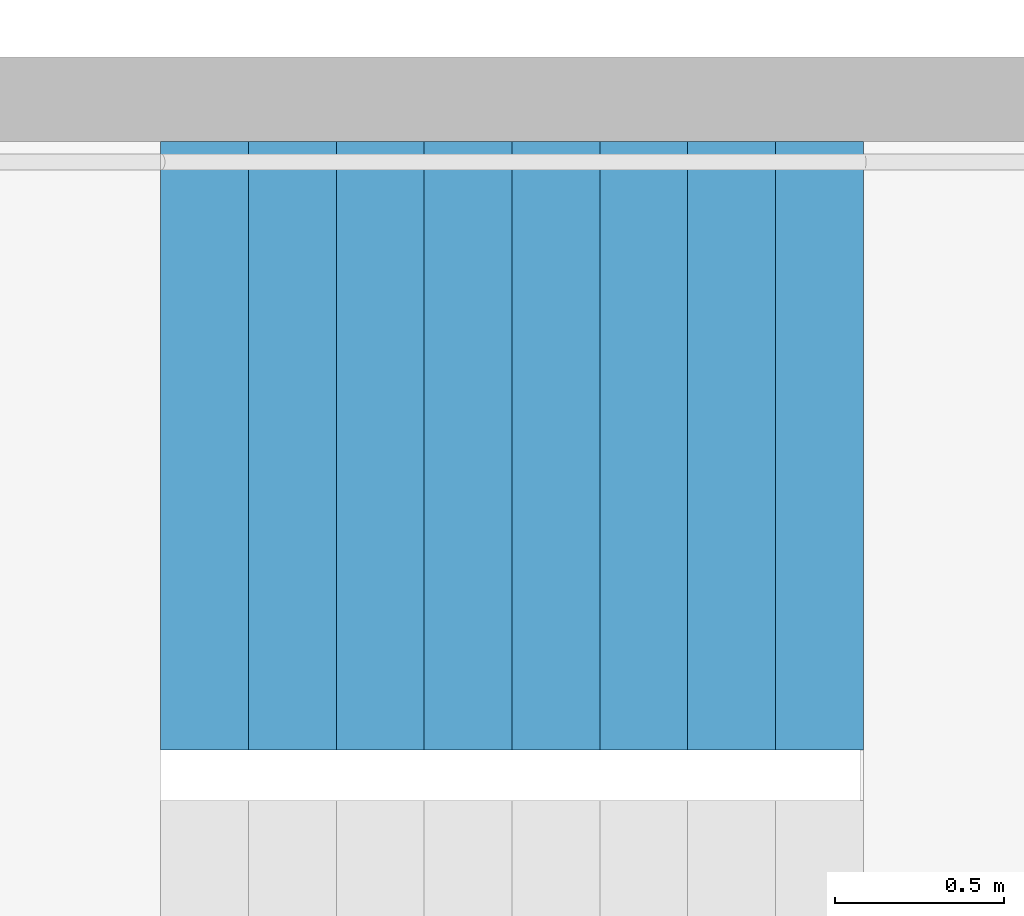
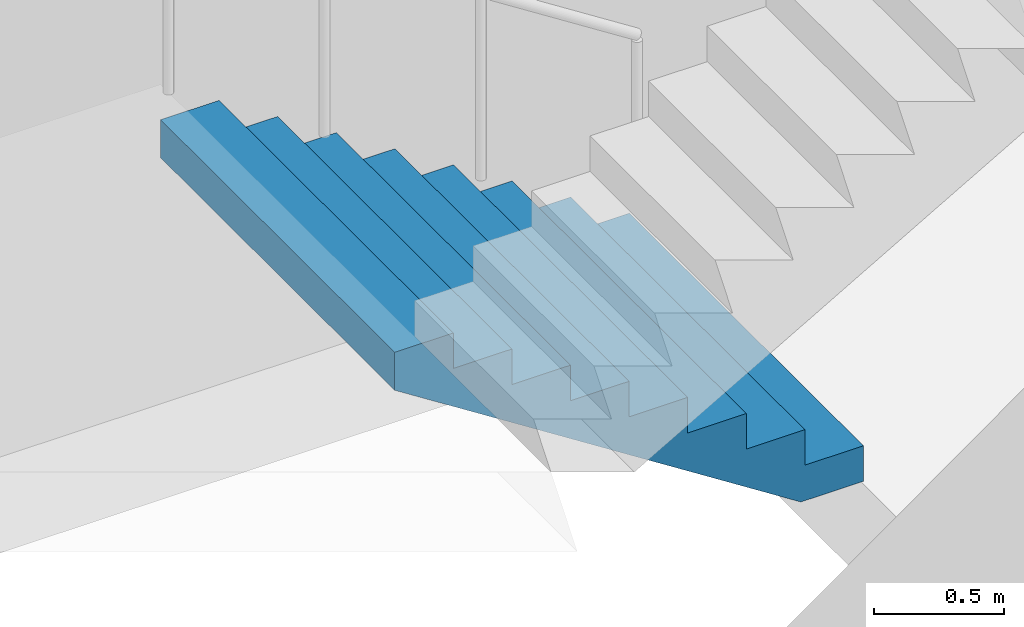
# One storey, part 20 of 35: 1 stair flight, 1 element without a shape of its own.
"""IFC4 building model written with IfcOpenShell, lengths in metres."""

from ifc_helpers import new_model, si_unit, direction, frame, origin, place, context, subcontext, project, spatial, triangles, material, type_object, element, aggregate, save


model = new_model("IFC4")

# Units and contexts
model_context = context("Model", 3, precision=1e-05, world=origin(), true_north=direction((0.0, 1.0)))
body_context = subcontext(model_context, "Body", "Model", "MODEL_VIEW")
ifc_project = project(units=[si_unit("LENGTHUNIT", "METRE"), si_unit("AREAUNIT", "SQUARE_METRE"), si_unit("VOLUMEUNIT", "CUBIC_METRE"), si_unit("PLANEANGLEUNIT", "RADIAN"), si_unit("MASSUNIT", "GRAM", prefix="KILO")], contexts=[model_context])

# Site, building, storey
site_placement = place(None, origin())
site = spatial("IfcSite", under=ifc_project, at=site_placement, CompositionType="ELEMENT")
building_placement = place(site_placement, origin())
building = spatial("IfcBuilding", under=site, at=building_placement, Name="Hakoniwa Tower and Hamabe Station Hall", CompositionType="ELEMENT")
storey_placement = place(building_placement, frame((0.0, 0.0, 264.60009765625)))
storey = spatial("IfcBuildingStorey", under=building, at=storey_placement, Name="L75", CompositionType="ELEMENT", Elevation=264.60009765625)

# Stair, stair flight
ifc_material_1 = material(Name="Concrete C40", Category="concrete")
stair_type = type_object("IfcStairType", Name="ESCAPE STAIR 1800", PredefinedType="HALF_TURN_STAIR", material=ifc_material_1)
stair_placement = place(storey_placement, origin())
stair = element("IfcStair", 1, at=stair_placement, inside=storey, type_object=stair_type, Name="Escape stair ST-2 L75", PredefinedType="HALF_TURN_STAIR")
ifc_material_2 = material(Name="Concrete C40", Category="concrete")
stair_flight_type = type_object("IfcStairFlightType", Name="STAIR FLIGHT 1800", PredefinedType="STRAIGHT", material=ifc_material_2)
stair_flight_placement = place(storey_placement, frame((-23.39990234375, -4.64990234375, 0.0), z_axis=(0.0, 0.0, 1.0), x_axis=(-1.0, 0.0, 0.0)))
stair_flight = element("IfcStairFlight", 2, at=stair_flight_placement, type_object=stair_flight_type, Name="ST-2 flight 1", NumberOfRisers=9, NumberOfTreads=8, PredefinedType="STRAIGHT", RiserHeight=0.166666667, TreadLength=0.26, context=body_context, shape_type="Tessellation", body=[
    triangles([(0.0, 0.89990234375, 0.0), (0.260009765625, 0.89990234375, 0.0), (0.27783203125, 0.89990234375, 0.0), (0.52001953125, 0.89990234375, 0.1552734375), (0.780029296875, 0.89990234375, 0.322021484375), (1.0400390625, 0.89990234375, 0.488525390625), (1.300048828125, 0.89990234375, 0.6552734375), (1.56005859375, 0.89990234375, 0.822021484375), (1.820068359375, 0.89990234375, 0.988525390625), (2.080078125, 0.89990234375, 1.1552734375), (2.080078125, 0.89990234375, 1.333251953125), (1.820068359375, 0.89990234375, 1.333251953125), (1.820068359375, 0.89990234375, 1.166748046875), (1.56005859375, 0.89990234375, 1.166748046875), (1.56005859375, 0.89990234375, 1.0), (1.300048828125, 0.89990234375, 1.0), (1.300048828125, 0.89990234375, 0.833251953125), (1.0400390625, 0.89990234375, 0.833251953125), (1.0400390625, 0.89990234375, 0.666748046875), (0.780029296875, 0.89990234375, 0.666748046875), (0.780029296875, 0.89990234375, 0.5), (0.52001953125, 0.89990234375, 0.5), (0.52001953125, 0.89990234375, 0.333251953125), (0.27783203125, 0.89990234375, 0.333251953125), (0.260009765625, 0.89990234375, 0.333251953125), (0.260009765625, 0.89990234375, 0.166748046875), (0.0, 0.89990234375, 0.166748046875), (0.0, 0.06005859375, 0.0), (0.260009765625, 0.06005859375, 0.0), (0.27783203125, 0.06005859375, 0.0), (0.52001953125, 0.06005859375, 0.1552734375), (0.780029296875, 0.06005859375, 0.322021484375), (1.0400390625, 0.06005859375, 0.488525390625), (1.300048828125, 0.06005859375, 0.6552734375), (1.56005859375, 0.06005859375, 0.822021484375), (1.820068359375, 0.06005859375, 0.988525390625), (2.080078125, 0.06005859375, 1.1552734375), (2.080078125, 0.06005859375, 1.333251953125), (1.820068359375, 0.06005859375, 1.333251953125), (1.820068359375, 0.06005859375, 1.166748046875), (1.56005859375, 0.06005859375, 1.166748046875), (1.56005859375, 0.06005859375, 1.0), (1.300048828125, 0.06005859375, 1.0), (1.300048828125, 0.06005859375, 0.833251953125), (1.0400390625, 0.06005859375, 0.833251953125), (1.0400390625, 0.06005859375, 0.666748046875), (0.780029296875, 0.06005859375, 0.666748046875), (0.780029296875, 0.06005859375, 0.5), (0.52001953125, 0.06005859375, 0.5), (0.52001953125, 0.06005859375, 0.333251953125), (0.27783203125, 0.06005859375, 0.333251953125), (0.260009765625, 0.06005859375, 0.333251953125), (0.260009765625, 0.06005859375, 0.166748046875), (0.0, 0.06005859375, 0.166748046875), (0.0, 0.04296875, 0.0), (0.260009765625, 0.04296875, 0.0), (0.27783203125, 0.04296875, 0.0), (0.52001953125, 0.04296875, 0.1552734375), (0.780029296875, 0.04296875, 0.322021484375), (1.0400390625, 0.04296875, 0.488525390625), (1.300048828125, 0.04296875, 0.6552734375), (1.56005859375, 0.04296875, 0.822021484375), (1.820068359375, 0.04296875, 0.988525390625), (2.080078125, 0.04296875, 1.1552734375), (2.080078125, 0.04296875, 1.333251953125), (1.820068359375, 0.04296875, 1.333251953125), (1.820068359375, 0.04296875, 1.166748046875), (1.56005859375, 0.04296875, 1.166748046875), (1.56005859375, 0.04296875, 1.0), (1.300048828125, 0.04296875, 1.0), (1.300048828125, 0.04296875, 0.833251953125), (1.0400390625, 0.04296875, 0.833251953125), (1.0400390625, 0.04296875, 0.666748046875), (0.780029296875, 0.04296875, 0.666748046875), (0.780029296875, 0.04296875, 0.5), (0.52001953125, 0.04296875, 0.5), (0.52001953125, 0.04296875, 0.333251953125), (0.27783203125, 0.04296875, 0.333251953125), (0.260009765625, 0.04296875, 0.333251953125), (0.260009765625, 0.04296875, 0.166748046875), (0.0, 0.04296875, 0.166748046875), (0.0, 0.025634765625, 0.0), (0.260009765625, 0.025634765625, 0.0), (0.27783203125, 0.025634765625, 0.0), (0.52001953125, 0.025634765625, 0.1552734375), (0.780029296875, 0.025634765625, 0.322021484375), (1.0400390625, 0.025634765625, 0.488525390625), (1.300048828125, 0.025634765625, 0.6552734375), (1.56005859375, 0.025634765625, 0.822021484375), (1.820068359375, 0.025634765625, 0.988525390625), (2.080078125, 0.025634765625, 1.1552734375), (2.080078125, 0.025634765625, 1.333251953125), (1.820068359375, 0.025634765625, 1.333251953125), (1.820068359375, 0.025634765625, 1.166748046875), (1.56005859375, 0.025634765625, 1.166748046875), (1.56005859375, 0.025634765625, 1.0), (1.300048828125, 0.025634765625, 1.0), (1.300048828125, 0.025634765625, 0.833251953125), (1.0400390625, 0.025634765625, 0.833251953125), (1.0400390625, 0.025634765625, 0.666748046875), (0.780029296875, 0.025634765625, 0.666748046875), (0.780029296875, 0.025634765625, 0.5), (0.52001953125, 0.025634765625, 0.5), (0.52001953125, 0.025634765625, 0.333251953125), (0.27783203125, 0.025634765625, 0.333251953125), (0.260009765625, 0.025634765625, 0.333251953125), (0.260009765625, 0.025634765625, 0.166748046875), (0.0, 0.025634765625, 0.166748046875), (0.0, 0.008544921875, 0.0), (0.260009765625, 0.008544921875, 0.0), (0.27783203125, 0.008544921875, 0.0), (0.52001953125, 0.008544921875, 0.1552734375), (0.780029296875, 0.008544921875, 0.322021484375), (1.0400390625, 0.008544921875, 0.488525390625), (1.300048828125, 0.008544921875, 0.6552734375), (1.56005859375, 0.008544921875, 0.822021484375), (1.820068359375, 0.008544921875, 0.988525390625), (2.080078125, 0.008544921875, 1.1552734375), (2.080078125, 0.008544921875, 1.333251953125), (1.820068359375, 0.008544921875, 1.333251953125), (1.820068359375, 0.008544921875, 1.166748046875), (1.56005859375, 0.008544921875, 1.166748046875), (1.56005859375, 0.008544921875, 1.0), (1.300048828125, 0.008544921875, 1.0), (1.300048828125, 0.008544921875, 0.833251953125), (1.0400390625, 0.008544921875, 0.833251953125), (1.0400390625, 0.008544921875, 0.666748046875), (0.780029296875, 0.008544921875, 0.666748046875), (0.780029296875, 0.008544921875, 0.5), (0.52001953125, 0.008544921875, 0.5), (0.52001953125, 0.008544921875, 0.333251953125), (0.27783203125, 0.008544921875, 0.333251953125), (0.260009765625, 0.008544921875, 0.333251953125), (0.260009765625, 0.008544921875, 0.166748046875), (0.0, 0.008544921875, 0.166748046875), (0.0, -0.008544921875, 0.0), (0.260009765625, -0.008544921875, 0.0), (0.27783203125, -0.008544921875, 0.0), (0.52001953125, -0.008544921875, 0.1552734375), (0.780029296875, -0.008544921875, 0.322021484375), (1.0400390625, -0.008544921875, 0.488525390625), (1.300048828125, -0.008544921875, 0.6552734375), (1.56005859375, -0.008544921875, 0.822021484375), (1.820068359375, -0.008544921875, 0.988525390625), (2.080078125, -0.008544921875, 1.1552734375), (2.080078125, -0.008544921875, 1.333251953125), (1.820068359375, -0.008544921875, 1.333251953125), (1.820068359375, -0.008544921875, 1.166748046875), (1.56005859375, -0.008544921875, 1.166748046875), (1.56005859375, -0.008544921875, 1.0), (1.300048828125, -0.008544921875, 1.0), (1.300048828125, -0.008544921875, 0.833251953125), (1.0400390625, -0.008544921875, 0.833251953125), (1.0400390625, -0.008544921875, 0.666748046875), (0.780029296875, -0.008544921875, 0.666748046875), (0.780029296875, -0.008544921875, 0.5), (0.52001953125, -0.008544921875, 0.5), (0.52001953125, -0.008544921875, 0.333251953125), (0.27783203125, -0.008544921875, 0.333251953125), (0.260009765625, -0.008544921875, 0.333251953125), (0.260009765625, -0.008544921875, 0.166748046875), (0.0, -0.008544921875, 0.166748046875), (0.0, -0.025634765625, 0.0), (0.260009765625, -0.025634765625, 0.0), (0.27783203125, -0.025634765625, 0.0), (0.52001953125, -0.025634765625, 0.1552734375), (0.780029296875, -0.025634765625, 0.322021484375), (1.0400390625, -0.025634765625, 0.488525390625), (1.300048828125, -0.025634765625, 0.6552734375), (1.56005859375, -0.025634765625, 0.822021484375), (1.820068359375, -0.025634765625, 0.988525390625), (2.080078125, -0.025634765625, 1.1552734375), (2.080078125, -0.025634765625, 1.333251953125), (1.820068359375, -0.025634765625, 1.333251953125), (1.820068359375, -0.025634765625, 1.166748046875), (1.56005859375, -0.025634765625, 1.166748046875), (1.56005859375, -0.025634765625, 1.0), (1.300048828125, -0.025634765625, 1.0), (1.300048828125, -0.025634765625, 0.833251953125), (1.0400390625, -0.025634765625, 0.833251953125), (1.0400390625, -0.025634765625, 0.666748046875), (0.780029296875, -0.025634765625, 0.666748046875), (0.780029296875, -0.025634765625, 0.5), (0.52001953125, -0.025634765625, 0.5), (0.52001953125, -0.025634765625, 0.333251953125), (0.27783203125, -0.025634765625, 0.333251953125), (0.260009765625, -0.025634765625, 0.333251953125), (0.260009765625, -0.025634765625, 0.166748046875), (0.0, -0.025634765625, 0.166748046875), (0.0, -0.04296875, 0.0), (0.260009765625, -0.04296875, 0.0), (0.27783203125, -0.04296875, 0.0), (0.52001953125, -0.04296875, 0.1552734375), (0.780029296875, -0.04296875, 0.322021484375), (1.0400390625, -0.04296875, 0.488525390625), (1.300048828125, -0.04296875, 0.6552734375), (1.56005859375, -0.04296875, 0.822021484375), (1.820068359375, -0.04296875, 0.988525390625), (2.080078125, -0.04296875, 1.1552734375), (2.080078125, -0.04296875, 1.333251953125), (1.820068359375, -0.04296875, 1.333251953125), (1.820068359375, -0.04296875, 1.166748046875), (1.56005859375, -0.04296875, 1.166748046875), (1.56005859375, -0.04296875, 1.0), (1.300048828125, -0.04296875, 1.0), (1.300048828125, -0.04296875, 0.833251953125), (1.0400390625, -0.04296875, 0.833251953125), (1.0400390625, -0.04296875, 0.666748046875), (0.780029296875, -0.04296875, 0.666748046875), (0.780029296875, -0.04296875, 0.5), (0.52001953125, -0.04296875, 0.5), (0.52001953125, -0.04296875, 0.333251953125), (0.27783203125, -0.04296875, 0.333251953125), (0.260009765625, -0.04296875, 0.333251953125), (0.260009765625, -0.04296875, 0.166748046875), (0.0, -0.04296875, 0.166748046875), (0.0, -0.06005859375, 0.0), (0.260009765625, -0.06005859375, 0.0), (0.27783203125, -0.06005859375, 0.0), (0.52001953125, -0.06005859375, 0.1552734375), (0.780029296875, -0.06005859375, 0.322021484375), (1.0400390625, -0.06005859375, 0.488525390625), (1.300048828125, -0.06005859375, 0.6552734375), (1.56005859375, -0.06005859375, 0.822021484375), (1.820068359375, -0.06005859375, 0.988525390625), (2.080078125, -0.06005859375, 1.1552734375), (2.080078125, -0.06005859375, 1.333251953125), (1.820068359375, -0.06005859375, 1.333251953125), (1.820068359375, -0.06005859375, 1.166748046875), (1.56005859375, -0.06005859375, 1.166748046875), (1.56005859375, -0.06005859375, 1.0), (1.300048828125, -0.06005859375, 1.0), (1.300048828125, -0.06005859375, 0.833251953125), (1.0400390625, -0.06005859375, 0.833251953125), (1.0400390625, -0.06005859375, 0.666748046875), (0.780029296875, -0.06005859375, 0.666748046875), (0.780029296875, -0.06005859375, 0.5), (0.52001953125, -0.06005859375, 0.5), (0.52001953125, -0.06005859375, 0.333251953125), (0.27783203125, -0.06005859375, 0.333251953125), (0.260009765625, -0.06005859375, 0.333251953125), (0.260009765625, -0.06005859375, 0.166748046875), (0.0, -0.06005859375, 0.166748046875), (0.0, -0.89990234375, 0.0), (0.260009765625, -0.89990234375, 0.0), (0.27783203125, -0.89990234375, 0.0), (0.52001953125, -0.89990234375, 0.1552734375), (0.780029296875, -0.89990234375, 0.322021484375), (1.0400390625, -0.89990234375, 0.488525390625), (1.300048828125, -0.89990234375, 0.6552734375), (1.56005859375, -0.89990234375, 0.822021484375), (1.820068359375, -0.89990234375, 0.988525390625), (2.080078125, -0.89990234375, 1.1552734375), (2.080078125, -0.89990234375, 1.333251953125), (1.820068359375, -0.89990234375, 1.333251953125), (1.820068359375, -0.89990234375, 1.166748046875), (1.56005859375, -0.89990234375, 1.166748046875), (1.56005859375, -0.89990234375, 1.0), (1.300048828125, -0.89990234375, 1.0), (1.300048828125, -0.89990234375, 0.833251953125), (1.0400390625, -0.89990234375, 0.833251953125), (1.0400390625, -0.89990234375, 0.666748046875), (0.780029296875, -0.89990234375, 0.666748046875), (0.780029296875, -0.89990234375, 0.5), (0.52001953125, -0.89990234375, 0.5), (0.52001953125, -0.89990234375, 0.333251953125), (0.27783203125, -0.89990234375, 0.333251953125), (0.260009765625, -0.89990234375, 0.333251953125), (0.260009765625, -0.89990234375, 0.166748046875), (0.0, -0.89990234375, 0.166748046875)], [[2, 27, 26], [245, 269, 270], [2, 1, 27], [245, 270, 244], [3, 25, 24], [246, 267, 268], [3, 26, 25], [246, 268, 269], [3, 2, 26], [246, 269, 245], [4, 24, 23], [247, 266, 267], [4, 3, 24], [247, 267, 246], [5, 22, 21], [248, 264, 265], [5, 23, 22], [248, 265, 266], [5, 4, 23], [248, 266, 247], [6, 20, 19], [249, 262, 263], [6, 21, 20], [249, 263, 264], [6, 5, 21], [249, 264, 248], [7, 18, 17], [250, 260, 261], [7, 19, 18], [250, 261, 262], [7, 6, 19], [250, 262, 249], [8, 16, 15], [251, 258, 259], [8, 17, 16], [251, 259, 260], [8, 7, 17], [251, 260, 250], [9, 14, 13], [252, 256, 257], [9, 15, 14], [252, 257, 258], [9, 8, 15], [252, 258, 251], [10, 12, 11], [253, 254, 255], [10, 13, 12], [253, 255, 256], [10, 9, 13], [253, 256, 252], [1, 2, 29], [1, 29, 28], [28, 29, 56], [28, 56, 55], [55, 56, 83], [55, 83, 82], [82, 83, 110], [82, 110, 109], [109, 110, 137], [109, 137, 136], [136, 137, 164], [136, 164, 163], [163, 164, 191], [163, 191, 190], [190, 191, 218], [190, 218, 217], [217, 218, 245], [217, 245, 244], [2, 3, 30], [2, 30, 29], [29, 30, 57], [29, 57, 56], [56, 57, 84], [56, 84, 83], [83, 84, 111], [83, 111, 110], [110, 111, 138], [110, 138, 137], [137, 138, 165], [137, 165, 164], [164, 165, 192], [164, 192, 191], [191, 192, 219], [191, 219, 218], [218, 219, 246], [218, 246, 245], [3, 4, 31], [3, 31, 30], [30, 31, 58], [30, 58, 57], [57, 58, 85], [57, 85, 84], [84, 85, 112], [84, 112, 111], [111, 112, 139], [111, 139, 138], [138, 139, 166], [138, 166, 165], [165, 166, 193], [165, 193, 192], [192, 193, 220], [192, 220, 219], [219, 220, 247], [219, 247, 246], [4, 5, 32], [4, 32, 31], [31, 32, 59], [31, 59, 58], [58, 59, 86], [58, 86, 85], [85, 86, 113], [85, 113, 112], [112, 113, 140], [112, 140, 139], [139, 140, 167], [139, 167, 166], [166, 167, 194], [166, 194, 193], [193, 194, 221], [193, 221, 220], [220, 221, 248], [220, 248, 247], [5, 6, 33], [5, 33, 32], [32, 33, 60], [32, 60, 59], [59, 60, 87], [59, 87, 86], [86, 87, 114], [86, 114, 113], [113, 114, 141], [113, 141, 140], [140, 141, 168], [140, 168, 167], [167, 168, 195], [167, 195, 194], [194, 195, 222], [194, 222, 221], [221, 222, 249], [221, 249, 248], [6, 7, 34], [6, 34, 33], [33, 34, 61], [33, 61, 60], [60, 61, 88], [60, 88, 87], [87, 88, 115], [87, 115, 114], [114, 115, 142], [114, 142, 141], [141, 142, 169], [141, 169, 168], [168, 169, 196], [168, 196, 195], [195, 196, 223], [195, 223, 222], [222, 223, 250], [222, 250, 249], [7, 8, 35], [7, 35, 34], [34, 35, 62], [34, 62, 61], [61, 62, 89], [61, 89, 88], [88, 89, 116], [88, 116, 115], [115, 116, 143], [115, 143, 142], [142, 143, 170], [142, 170, 169], [169, 170, 197], [169, 197, 196], [196, 197, 224], [196, 224, 223], [223, 224, 251], [223, 251, 250], [8, 9, 36], [8, 36, 35], [35, 36, 63], [35, 63, 62], [62, 63, 90], [62, 90, 89], [89, 90, 117], [89, 117, 116], [116, 117, 144], [116, 144, 143], [143, 144, 171], [143, 171, 170], [170, 171, 198], [170, 198, 197], [197, 198, 225], [197, 225, 224], [224, 225, 252], [224, 252, 251], [9, 10, 37], [9, 37, 36], [36, 37, 64], [36, 64, 63], [63, 64, 91], [63, 91, 90], [90, 91, 118], [90, 118, 117], [117, 118, 145], [117, 145, 144], [144, 145, 172], [144, 172, 171], [171, 172, 199], [171, 199, 198], [198, 199, 226], [198, 226, 225], [225, 226, 253], [225, 253, 252], [10, 11, 38], [10, 38, 37], [37, 38, 65], [37, 65, 64], [64, 65, 92], [64, 92, 91], [91, 92, 119], [91, 119, 118], [118, 119, 146], [118, 146, 145], [145, 146, 173], [145, 173, 172], [172, 173, 200], [172, 200, 199], [199, 200, 227], [199, 227, 226], [226, 227, 254], [226, 254, 253], [11, 12, 39], [11, 39, 38], [38, 39, 66], [38, 66, 65], [65, 66, 93], [65, 93, 92], [92, 93, 120], [92, 120, 119], [119, 120, 147], [119, 147, 146], [146, 147, 174], [146, 174, 173], [173, 174, 201], [173, 201, 200], [200, 201, 228], [200, 228, 227], [227, 228, 255], [227, 255, 254], [12, 13, 40], [12, 40, 39], [39, 40, 67], [39, 67, 66], [66, 67, 94], [66, 94, 93], [93, 94, 121], [93, 121, 120], [120, 121, 148], [120, 148, 147], [147, 148, 175], [147, 175, 174], [174, 175, 202], [174, 202, 201], [201, 202, 229], [201, 229, 228], [228, 229, 256], [228, 256, 255], [13, 14, 41], [13, 41, 40], [40, 41, 68], [40, 68, 67], [67, 68, 95], [67, 95, 94], [94, 95, 122], [94, 122, 121], [121, 122, 149], [121, 149, 148], [148, 149, 176], [148, 176, 175], [175, 176, 203], [175, 203, 202], [202, 203, 230], [202, 230, 229], [229, 230, 257], [229, 257, 256], [14, 15, 42], [14, 42, 41], [41, 42, 69], [41, 69, 68], [68, 69, 96], [68, 96, 95], [95, 96, 123], [95, 123, 122], [122, 123, 150], [122, 150, 149], [149, 150, 177], [149, 177, 176], [176, 177, 204], [176, 204, 203], [203, 204, 231], [203, 231, 230], [230, 231, 258], [230, 258, 257], [15, 16, 43], [15, 43, 42], [42, 43, 70], [42, 70, 69], [69, 70, 97], [69, 97, 96], [96, 97, 124], [96, 124, 123], [123, 124, 151], [123, 151, 150], [150, 151, 178], [150, 178, 177], [177, 178, 205], [177, 205, 204], [204, 205, 232], [204, 232, 231], [231, 232, 259], [231, 259, 258], [16, 17, 44], [16, 44, 43], [43, 44, 71], [43, 71, 70], [70, 71, 98], [70, 98, 97], [97, 98, 125], [97, 125, 124], [124, 125, 152], [124, 152, 151], [151, 152, 179], [151, 179, 178], [178, 179, 206], [178, 206, 205], [205, 206, 233], [205, 233, 232], [232, 233, 260], [232, 260, 259], [17, 18, 45], [17, 45, 44], [44, 45, 72], [44, 72, 71], [71, 72, 99], [71, 99, 98], [98, 99, 126], [98, 126, 125], [125, 126, 153], [125, 153, 152], [152, 153, 180], [152, 180, 179], [179, 180, 207], [179, 207, 206], [206, 207, 234], [206, 234, 233], [233, 234, 261], [233, 261, 260], [18, 19, 46], [18, 46, 45], [45, 46, 73], [45, 73, 72], [72, 73, 100], [72, 100, 99], [99, 100, 127], [99, 127, 126], [126, 127, 154], [126, 154, 153], [153, 154, 181], [153, 181, 180], [180, 181, 208], [180, 208, 207], [207, 208, 235], [207, 235, 234], [234, 235, 262], [234, 262, 261], [19, 20, 47], [19, 47, 46], [46, 47, 74], [46, 74, 73], [73, 74, 101], [73, 101, 100], [100, 101, 128], [100, 128, 127], [127, 128, 155], [127, 155, 154], [154, 155, 182], [154, 182, 181], [181, 182, 209], [181, 209, 208], [208, 209, 236], [208, 236, 235], [235, 236, 263], [235, 263, 262], [20, 21, 48], [20, 48, 47], [47, 48, 75], [47, 75, 74], [74, 75, 102], [74, 102, 101], [101, 102, 129], [101, 129, 128], [128, 129, 156], [128, 156, 155], [155, 156, 183], [155, 183, 182], [182, 183, 210], [182, 210, 209], [209, 210, 237], [209, 237, 236], [236, 237, 264], [236, 264, 263], [21, 22, 49], [21, 49, 48], [48, 49, 76], [48, 76, 75], [75, 76, 103], [75, 103, 102], [102, 103, 130], [102, 130, 129], [129, 130, 157], [129, 157, 156], [156, 157, 184], [156, 184, 183], [183, 184, 211], [183, 211, 210], [210, 211, 238], [210, 238, 237], [237, 238, 265], [237, 265, 264], [22, 23, 50], [22, 50, 49], [49, 50, 77], [49, 77, 76], [76, 77, 104], [76, 104, 103], [103, 104, 131], [103, 131, 130], [130, 131, 158], [130, 158, 157], [157, 158, 185], [157, 185, 184], [184, 185, 212], [184, 212, 211], [211, 212, 239], [211, 239, 238], [238, 239, 266], [238, 266, 265], [23, 24, 51], [23, 51, 50], [50, 51, 78], [50, 78, 77], [77, 78, 105], [77, 105, 104], [104, 105, 132], [104, 132, 131], [131, 132, 159], [131, 159, 158], [158, 159, 186], [158, 186, 185], [185, 186, 213], [185, 213, 212], [212, 213, 240], [212, 240, 239], [239, 240, 267], [239, 267, 266], [24, 25, 52], [24, 52, 51], [51, 52, 79], [51, 79, 78], [78, 79, 106], [78, 106, 105], [105, 106, 133], [105, 133, 132], [132, 133, 160], [132, 160, 159], [159, 160, 187], [159, 187, 186], [186, 187, 214], [186, 214, 213], [213, 214, 241], [213, 241, 240], [240, 241, 268], [240, 268, 267], [25, 26, 53], [25, 53, 52], [52, 53, 80], [52, 80, 79], [79, 80, 107], [79, 107, 106], [106, 107, 134], [106, 134, 133], [133, 134, 161], [133, 161, 160], [160, 161, 188], [160, 188, 187], [187, 188, 215], [187, 215, 214], [214, 215, 242], [214, 242, 241], [241, 242, 269], [241, 269, 268], [26, 27, 54], [26, 54, 53], [53, 54, 81], [53, 81, 80], [80, 81, 108], [80, 108, 107], [107, 108, 135], [107, 135, 134], [134, 135, 162], [134, 162, 161], [161, 162, 189], [161, 189, 188], [188, 189, 216], [188, 216, 215], [215, 216, 243], [215, 243, 242], [242, 243, 270], [242, 270, 269], [27, 1, 28], [27, 28, 54], [54, 28, 55], [54, 55, 81], [81, 55, 82], [81, 82, 108], [108, 82, 109], [108, 109, 135], [135, 109, 136], [135, 136, 162], [162, 136, 163], [162, 163, 189], [189, 163, 190], [189, 190, 216], [216, 190, 217], [216, 217, 243], [243, 217, 244], [243, 244, 270]], closed=True),
])
aggregate(stair, [stair_flight])

save(model, "model.ifc")
